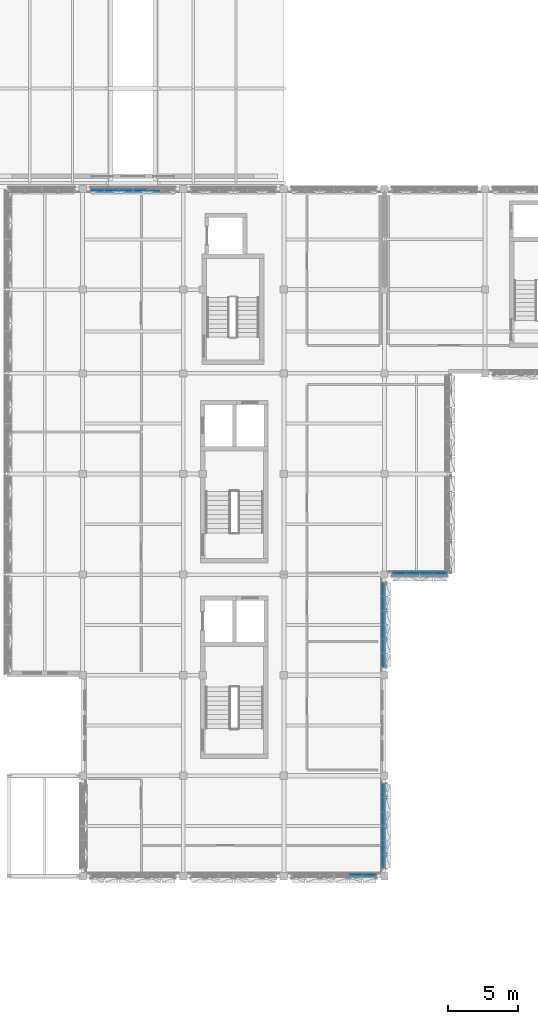
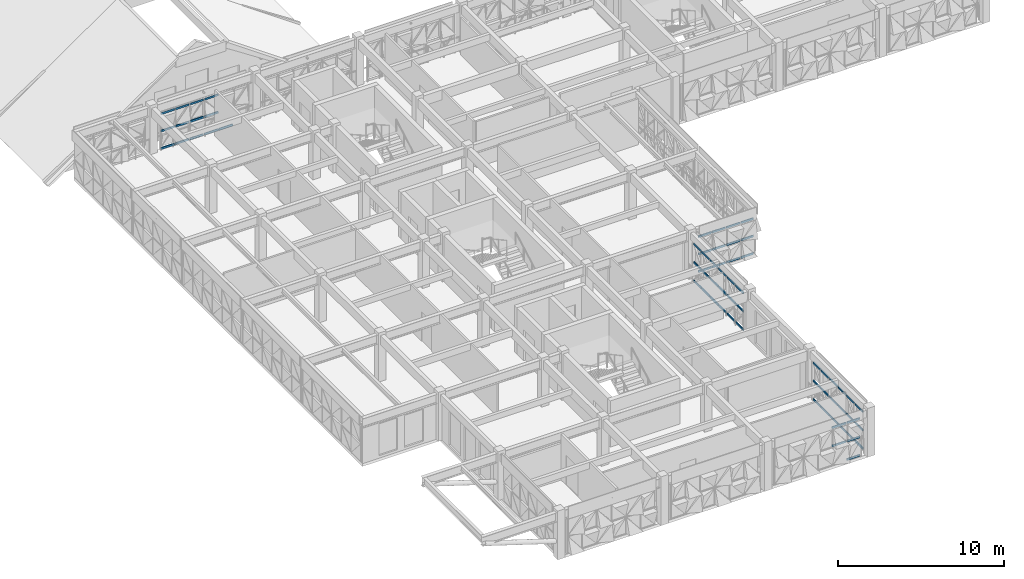
# One storey, part 15 of 48: 66 members, 5 elements without a shape of their own.
"""IFC4 building model written with IfcOpenShell, lengths in metres."""

from ifc_helpers import new_model, si_unit, direction, frame, origin, origin_2d, place, context, subcontext, project, spatial, rectangle, extrude, material, material_profile, profile_set, type_object, element, aggregate, save


model = new_model("IFC4")

# Units and contexts
model_context = context("Model", 3, precision=1e-05, world=origin(), true_north=direction((0.0, 1.0)))
body_context = subcontext(model_context, "Body", "Model", "MODEL_VIEW")
ifc_project = project(units=[si_unit("LENGTHUNIT", "METRE"), si_unit("AREAUNIT", "SQUARE_METRE"), si_unit("VOLUMEUNIT", "CUBIC_METRE"), si_unit("PLANEANGLEUNIT", "RADIAN"), si_unit("MASSUNIT", "GRAM", prefix="KILO")], contexts=[model_context])

# Site, building, storey
site_placement = place(None, origin())
site = spatial("IfcSite", under=ifc_project, at=site_placement, CompositionType="ELEMENT")
building_placement = place(site_placement, origin())
building = spatial("IfcBuilding", under=site, at=building_placement, Name="Alvorim Cloister Faculty of Sciences", CompositionType="ELEMENT")
storey_placement = place(building_placement, frame((0.0, 0.0, 19.35009765625)))
storey = spatial("IfcBuildingStorey", under=building, at=storey_placement, Name="L05", CompositionType="ELEMENT", Elevation=19.35009765625)

# Curtain wall, members
ifc_material_1 = material(Name="Aluminium and Low-E Glass Curtain Wall", Category="aluminium")
curtain_wall_type_1 = type_object("IfcCurtainWallType", Name="CW-TRI-6120x2706", PredefinedType="USERDEFINED", material=ifc_material_1)
curtain_wall_1_placement = place(storey_placement, origin())
curtain_wall_1 = element("IfcCurtainWall", 1, at=curtain_wall_1_placement, inside=storey, type_object=curtain_wall_type_1, Name="L05 Diagonal Cassette Curtain Wall CW-0220", ObjectType="UNITISED CURTAIN WALL", PredefinedType="USERDEFINED")
ifc_material_2 = material(Name="Aluminium Alloy 6063-T6", Category="aluminium")
ifc_material_profile = material_profile(ifc_material_2, rectangle(XDim=0.06494140625, YDim=0.139892578125, at=origin_2d()), Name="ALU-TRN-65x140")
ifc_profile_set = profile_set([ifc_material_profile], Name="Aluminium Alloy 6063-T6")
member_type = type_object("IfcMemberType", Name="CW-TRN-65x140", PredefinedType="USERDEFINED", material=ifc_profile_set)
member_1_placement = place(storey_placement, frame((7.804931640625, 56.31005859375, 0.06982421875), z_axis=(1.0, 0.0, 0.0), x_axis=(0.0, 1.0, 0.0)))
member_1 = element("IfcMember", 2, at=member_1_placement, type_object=member_type, Name="CW-0220 Transom 1.1", ObjectType="TRANSOM", PredefinedType="USERDEFINED", context=body_context, shape_type="SweptSolid", body=[
    extrude(rectangle(XDim=0.06494140625, YDim=0.139892578125, at=origin_2d()), origin(), (0.0, 0.0, 1.0), 0.922607421875),
])
member_2_placement = place(storey_placement, frame((7.804931640625, 56.31005859375, 1.352783203125), z_axis=(1.0, 0.0, 0.0), x_axis=(0.0, 1.0, 0.0)))
member_2 = element("IfcMember", 3, at=member_2_placement, type_object=member_type, Name="CW-0220 Transom 1.2", ObjectType="TRANSOM", PredefinedType="USERDEFINED", context=body_context, shape_type="SweptSolid", body=[
    extrude(rectangle(XDim=0.06494140625, YDim=0.139892578125, at=origin_2d()), origin(), (0.0, 0.0, 1.0), 0.922607421875),
])
member_3_placement = place(storey_placement, frame((7.804931640625, 56.31005859375, 2.635986328125), z_axis=(1.0, 0.0, 0.0), x_axis=(0.0, 1.0, 0.0)))
member_3 = element("IfcMember", 4, at=member_3_placement, type_object=member_type, Name="CW-0220 Transom 1.3", ObjectType="TRANSOM", PredefinedType="USERDEFINED", context=body_context, shape_type="SweptSolid", body=[
    extrude(rectangle(XDim=0.06494140625, YDim=0.139892578125, at=origin_2d()), origin(), (0.0, 0.0, 1.0), 0.922607421875),
])
member_4_placement = place(storey_placement, frame((8.79248046875, 56.31005859375, 0.06982421875), z_axis=(1.0, 0.0, 0.0), x_axis=(0.0, 1.0, 0.0)))
member_4 = element("IfcMember", 5, at=member_4_placement, type_object=member_type, Name="CW-0220 Transom 2.1", ObjectType="TRANSOM", PredefinedType="USERDEFINED", context=body_context, shape_type="SweptSolid", body=[
    extrude(rectangle(XDim=0.06494140625, YDim=0.139892578125, at=origin_2d()), origin(), (0.0, 0.0, 1.0), 0.955078125),
])
member_5_placement = place(storey_placement, frame((8.79248046875, 56.31005859375, 1.352783203125), z_axis=(1.0, 0.0, 0.0), x_axis=(0.0, 1.0, 0.0)))
member_5 = element("IfcMember", 6, at=member_5_placement, type_object=member_type, Name="CW-0220 Transom 2.2", ObjectType="TRANSOM", PredefinedType="USERDEFINED", context=body_context, shape_type="SweptSolid", body=[
    extrude(rectangle(XDim=0.06494140625, YDim=0.139892578125, at=origin_2d()), origin(), (0.0, 0.0, 1.0), 0.955078125),
])
member_6_placement = place(storey_placement, frame((8.79248046875, 56.31005859375, 2.635986328125), z_axis=(1.0, 0.0, 0.0), x_axis=(0.0, 1.0, 0.0)))
member_6 = element("IfcMember", 7, at=member_6_placement, type_object=member_type, Name="CW-0220 Transom 2.3", ObjectType="TRANSOM", PredefinedType="USERDEFINED", context=body_context, shape_type="SweptSolid", body=[
    extrude(rectangle(XDim=0.06494140625, YDim=0.139892578125, at=origin_2d()), origin(), (0.0, 0.0, 1.0), 0.955078125),
])
member_7_placement = place(storey_placement, frame((9.8125, 56.31005859375, 0.06982421875), z_axis=(1.0, 0.0, 0.0), x_axis=(0.0, 1.0, 0.0)))
member_7 = element("IfcMember", 8, at=member_7_placement, type_object=member_type, Name="CW-0220 Transom 3.1", ObjectType="TRANSOM", PredefinedType="USERDEFINED", context=body_context, shape_type="SweptSolid", body=[
    extrude(rectangle(XDim=0.06494140625, YDim=0.139892578125, at=origin_2d()), origin(), (0.0, 0.0, 1.0), 0.955078125),
])
member_8_placement = place(storey_placement, frame((9.8125, 56.31005859375, 1.352783203125), z_axis=(1.0, 0.0, 0.0), x_axis=(0.0, 1.0, 0.0)))
member_8 = element("IfcMember", 9, at=member_8_placement, type_object=member_type, Name="CW-0220 Transom 3.2", ObjectType="TRANSOM", PredefinedType="USERDEFINED", context=body_context, shape_type="SweptSolid", body=[
    extrude(rectangle(XDim=0.06494140625, YDim=0.139892578125, at=origin_2d()), origin(), (0.0, 0.0, 1.0), 0.955078125),
])
member_9_placement = place(storey_placement, frame((9.8125, 56.31005859375, 2.635986328125), z_axis=(1.0, 0.0, 0.0), x_axis=(0.0, 1.0, 0.0)))
member_9 = element("IfcMember", 10, at=member_9_placement, type_object=member_type, Name="CW-0220 Transom 3.3", ObjectType="TRANSOM", PredefinedType="USERDEFINED", context=body_context, shape_type="SweptSolid", body=[
    extrude(rectangle(XDim=0.06494140625, YDim=0.139892578125, at=origin_2d()), origin(), (0.0, 0.0, 1.0), 0.955078125),
])
member_10_placement = place(storey_placement, frame((10.83251953125, 56.31005859375, 0.06982421875), z_axis=(1.0, 0.0, 0.0), x_axis=(0.0, 1.0, 0.0)))
member_10 = element("IfcMember", 11, at=member_10_placement, type_object=member_type, Name="CW-0220 Transom 4.1", ObjectType="TRANSOM", PredefinedType="USERDEFINED", context=body_context, shape_type="SweptSolid", body=[
    extrude(rectangle(XDim=0.06494140625, YDim=0.139892578125, at=origin_2d()), origin(), (0.0, 0.0, 1.0), 0.955078125),
])
member_11_placement = place(storey_placement, frame((10.83251953125, 56.31005859375, 1.352783203125), z_axis=(1.0, 0.0, 0.0), x_axis=(0.0, 1.0, 0.0)))
member_11 = element("IfcMember", 12, at=member_11_placement, type_object=member_type, Name="CW-0220 Transom 4.2", ObjectType="TRANSOM", PredefinedType="USERDEFINED", context=body_context, shape_type="SweptSolid", body=[
    extrude(rectangle(XDim=0.06494140625, YDim=0.139892578125, at=origin_2d()), origin(), (0.0, 0.0, 1.0), 0.955078125),
])
member_12_placement = place(storey_placement, frame((10.83251953125, 56.31005859375, 2.635986328125), z_axis=(1.0, 0.0, 0.0), x_axis=(0.0, 1.0, 0.0)))
member_12 = element("IfcMember", 13, at=member_12_placement, type_object=member_type, Name="CW-0220 Transom 4.3", ObjectType="TRANSOM", PredefinedType="USERDEFINED", context=body_context, shape_type="SweptSolid", body=[
    extrude(rectangle(XDim=0.06494140625, YDim=0.139892578125, at=origin_2d()), origin(), (0.0, 0.0, 1.0), 0.955078125),
])
member_13_placement = place(storey_placement, frame((11.8525390625, 56.31005859375, 0.06982421875), z_axis=(1.0, 0.0, 0.0), x_axis=(0.0, 1.0, 0.0)))
member_13 = element("IfcMember", 14, at=member_13_placement, type_object=member_type, Name="CW-0220 Transom 5.1", ObjectType="TRANSOM", PredefinedType="USERDEFINED", context=body_context, shape_type="SweptSolid", body=[
    extrude(rectangle(XDim=0.06494140625, YDim=0.139892578125, at=origin_2d()), origin(), (0.0, 0.0, 1.0), 0.955078125),
])
aggregate(curtain_wall_1, [member_1, member_2, member_3, member_4, member_5, member_6, member_7, member_8, member_9, member_10, member_11, member_12, member_13])

curtain_wall_type_2 = type_object("IfcCurtainWallType", Name="CW-TRI-3980x2706", PredefinedType="USERDEFINED", material=ifc_material_1)
curtain_wall_2_placement = place(storey_placement, origin())
curtain_wall_2 = element("IfcCurtainWall", 15, at=curtain_wall_2_placement, inside=storey, type_object=curtain_wall_type_2, Name="L05 Diagonal Cassette Curtain Wall CW-0234", ObjectType="UNITISED CURTAIN WALL", PredefinedType="USERDEFINED")
member_14_placement = place(storey_placement, frame((29.405029296875, 28.889892578125, 0.06982421875), z_axis=(1.0, 0.0, 0.0), x_axis=(0.0, 1.0, 0.0)))
member_14 = element("IfcMember", 16, at=member_14_placement, type_object=member_type, Name="CW-0234 Transom 1.1", ObjectType="TRANSOM", PredefinedType="USERDEFINED", context=body_context, shape_type="SweptSolid", body=[
    extrude(rectangle(XDim=0.06494140625, YDim=0.139892578125, at=origin_2d()), origin(), (0.0, 0.0, 1.0), 0.8974609375),
])
member_15_placement = place(storey_placement, frame((29.405029296875, 28.889892578125, 1.352783203125), z_axis=(1.0, 0.0, 0.0), x_axis=(0.0, 1.0, 0.0)))
member_15 = element("IfcMember", 17, at=member_15_placement, type_object=member_type, Name="CW-0234 Transom 1.2", ObjectType="TRANSOM", PredefinedType="USERDEFINED", context=body_context, shape_type="SweptSolid", body=[
    extrude(rectangle(XDim=0.06494140625, YDim=0.139892578125, at=origin_2d()), origin(), (0.0, 0.0, 1.0), 0.8974609375),
])
member_16_placement = place(storey_placement, frame((29.405029296875, 28.889892578125, 2.635986328125), z_axis=(1.0, 0.0, 0.0), x_axis=(0.0, 1.0, 0.0)))
member_16 = element("IfcMember", 18, at=member_16_placement, type_object=member_type, Name="CW-0234 Transom 1.3", ObjectType="TRANSOM", PredefinedType="USERDEFINED", context=body_context, shape_type="SweptSolid", body=[
    extrude(rectangle(XDim=0.06494140625, YDim=0.139892578125, at=origin_2d()), origin(), (0.0, 0.0, 1.0), 0.8974609375),
])
member_17_placement = place(storey_placement, frame((30.367431640625, 28.889892578125, 0.06982421875), z_axis=(1.0, 0.0, 0.0), x_axis=(0.0, 1.0, 0.0)))
member_17 = element("IfcMember", 19, at=member_17_placement, type_object=member_type, Name="CW-0234 Transom 2.1", ObjectType="TRANSOM", PredefinedType="USERDEFINED", context=body_context, shape_type="SweptSolid", body=[
    extrude(rectangle(XDim=0.06494140625, YDim=0.139892578125, at=origin_2d()), origin(), (0.0, 0.0, 1.0), 0.93017578125),
])
member_18_placement = place(storey_placement, frame((30.367431640625, 28.889892578125, 1.352783203125), z_axis=(1.0, 0.0, 0.0), x_axis=(0.0, 1.0, 0.0)))
member_18 = element("IfcMember", 20, at=member_18_placement, type_object=member_type, Name="CW-0234 Transom 2.2", ObjectType="TRANSOM", PredefinedType="USERDEFINED", context=body_context, shape_type="SweptSolid", body=[
    extrude(rectangle(XDim=0.06494140625, YDim=0.139892578125, at=origin_2d()), origin(), (0.0, 0.0, 1.0), 0.93017578125),
])
member_19_placement = place(storey_placement, frame((30.367431640625, 28.889892578125, 2.635986328125), z_axis=(1.0, 0.0, 0.0), x_axis=(0.0, 1.0, 0.0)))
member_19 = element("IfcMember", 21, at=member_19_placement, type_object=member_type, Name="CW-0234 Transom 2.3", ObjectType="TRANSOM", PredefinedType="USERDEFINED", context=body_context, shape_type="SweptSolid", body=[
    extrude(rectangle(XDim=0.06494140625, YDim=0.139892578125, at=origin_2d()), origin(), (0.0, 0.0, 1.0), 0.93017578125),
])
member_20_placement = place(storey_placement, frame((31.362548828125, 28.889892578125, 0.06982421875), z_axis=(1.0, 0.0, 0.0), x_axis=(0.0, 1.0, 0.0)))
member_20 = element("IfcMember", 22, at=member_20_placement, type_object=member_type, Name="CW-0234 Transom 3.1", ObjectType="TRANSOM", PredefinedType="USERDEFINED", context=body_context, shape_type="SweptSolid", body=[
    extrude(rectangle(XDim=0.06494140625, YDim=0.139892578125, at=origin_2d()), origin(), (0.0, 0.0, 1.0), 0.929931640625),
])
member_21_placement = place(storey_placement, frame((31.362548828125, 28.889892578125, 1.352783203125), z_axis=(1.0, 0.0, 0.0), x_axis=(0.0, 1.0, 0.0)))
member_21 = element("IfcMember", 23, at=member_21_placement, type_object=member_type, Name="CW-0234 Transom 3.2", ObjectType="TRANSOM", PredefinedType="USERDEFINED", context=body_context, shape_type="SweptSolid", body=[
    extrude(rectangle(XDim=0.06494140625, YDim=0.139892578125, at=origin_2d()), origin(), (0.0, 0.0, 1.0), 0.929931640625),
])
member_22_placement = place(storey_placement, frame((31.362548828125, 28.889892578125, 2.635986328125), z_axis=(1.0, 0.0, 0.0), x_axis=(0.0, 1.0, 0.0)))
member_22 = element("IfcMember", 24, at=member_22_placement, type_object=member_type, Name="CW-0234 Transom 3.3", ObjectType="TRANSOM", PredefinedType="USERDEFINED", context=body_context, shape_type="SweptSolid", body=[
    extrude(rectangle(XDim=0.06494140625, YDim=0.139892578125, at=origin_2d()), origin(), (0.0, 0.0, 1.0), 0.929931640625),
])
member_23_placement = place(storey_placement, frame((32.357421875, 28.889892578125, 0.06982421875), z_axis=(1.0, 0.0, 0.0), x_axis=(0.0, 1.0, 0.0)))
member_23 = element("IfcMember", 25, at=member_23_placement, type_object=member_type, Name="CW-0234 Transom 4.1", ObjectType="TRANSOM", PredefinedType="USERDEFINED", context=body_context, shape_type="SweptSolid", body=[
    extrude(rectangle(XDim=0.06494140625, YDim=0.139892578125, at=origin_2d()), origin(), (0.0, 0.0, 1.0), 0.8974609375),
])
member_24_placement = place(storey_placement, frame((32.357421875, 28.889892578125, 1.352783203125), z_axis=(1.0, 0.0, 0.0), x_axis=(0.0, 1.0, 0.0)))
member_24 = element("IfcMember", 26, at=member_24_placement, type_object=member_type, Name="CW-0234 Transom 4.2", ObjectType="TRANSOM", PredefinedType="USERDEFINED", context=body_context, shape_type="SweptSolid", body=[
    extrude(rectangle(XDim=0.06494140625, YDim=0.139892578125, at=origin_2d()), origin(), (0.0, 0.0, 1.0), 0.8974609375),
])
member_25_placement = place(storey_placement, frame((32.357421875, 28.889892578125, 2.635986328125), z_axis=(1.0, 0.0, 0.0), x_axis=(0.0, 1.0, 0.0)))
member_25 = element("IfcMember", 27, at=member_25_placement, type_object=member_type, Name="CW-0234 Transom 4.3", ObjectType="TRANSOM", PredefinedType="USERDEFINED", context=body_context, shape_type="SweptSolid", body=[
    extrude(rectangle(XDim=0.06494140625, YDim=0.139892578125, at=origin_2d()), origin(), (0.0, 0.0, 1.0), 0.8974609375),
])
aggregate(curtain_wall_2, [member_14, member_15, member_16, member_17, member_18, member_19, member_20, member_21, member_22, member_23, member_24, member_25])

curtain_wall_type_3 = type_object("IfcCurtainWallType", Name="CW-TRI-6120x2850", PredefinedType="USERDEFINED", material=ifc_material_1)
curtain_wall_3_placement = place(storey_placement, origin())
curtain_wall_3 = element("IfcCurtainWall", 28, at=curtain_wall_3_placement, inside=storey, type_object=curtain_wall_type_3, Name="L05 Diagonal Cassette Curtain Wall CW-0235", ObjectType="UNITISED CURTAIN WALL", PredefinedType="USERDEFINED")
member_26_placement = place(storey_placement, frame((28.7099609375, 22.205078125, 0.06982421875), z_axis=(0.0, 1.0, 0.0), x_axis=(-1.0, 0.0, 0.0)))
member_26 = element("IfcMember", 29, at=member_26_placement, type_object=member_type, Name="CW-0235 Transom 1.1", ObjectType="TRANSOM", PredefinedType="USERDEFINED", context=body_context, shape_type="SweptSolid", body=[
    extrude(rectangle(XDim=0.06494140625, YDim=0.139892578125, at=origin_2d()), origin(), (0.0, 0.0, 1.0), 0.92236328125),
])
member_27_placement = place(storey_placement, frame((28.7099609375, 22.205078125, 1.4248046875), z_axis=(0.0, 1.0, 0.0), x_axis=(-1.0, 0.0, 0.0)))
member_27 = element("IfcMember", 30, at=member_27_placement, type_object=member_type, Name="CW-0235 Transom 1.2", ObjectType="TRANSOM", PredefinedType="USERDEFINED", context=body_context, shape_type="SweptSolid", body=[
    extrude(rectangle(XDim=0.06494140625, YDim=0.139892578125, at=origin_2d()), origin(), (0.0, 0.0, 1.0), 0.92236328125),
])
member_28_placement = place(storey_placement, frame((28.7099609375, 22.205078125, 2.77978515625), z_axis=(0.0, 1.0, 0.0), x_axis=(-1.0, 0.0, 0.0)))
member_28 = element("IfcMember", 31, at=member_28_placement, type_object=member_type, Name="CW-0235 Transom 1.3", ObjectType="TRANSOM", PredefinedType="USERDEFINED", context=body_context, shape_type="SweptSolid", body=[
    extrude(rectangle(XDim=0.06494140625, YDim=0.139892578125, at=origin_2d()), origin(), (0.0, 0.0, 1.0), 0.92236328125),
])
member_29_placement = place(storey_placement, frame((28.7099609375, 23.1923828125, 0.06982421875), z_axis=(0.0, 1.0, 0.0), x_axis=(-1.0, 0.0, 0.0)))
member_29 = element("IfcMember", 32, at=member_29_placement, type_object=member_type, Name="CW-0235 Transom 2.1", ObjectType="TRANSOM", PredefinedType="USERDEFINED", context=body_context, shape_type="SweptSolid", body=[
    extrude(rectangle(XDim=0.06494140625, YDim=0.139892578125, at=origin_2d()), origin(), (0.0, 0.0, 1.0), 0.955078125),
])
member_30_placement = place(storey_placement, frame((28.7099609375, 23.1923828125, 1.4248046875), z_axis=(0.0, 1.0, 0.0), x_axis=(-1.0, 0.0, 0.0)))
member_30 = element("IfcMember", 33, at=member_30_placement, type_object=member_type, Name="CW-0235 Transom 2.2", ObjectType="TRANSOM", PredefinedType="USERDEFINED", context=body_context, shape_type="SweptSolid", body=[
    extrude(rectangle(XDim=0.06494140625, YDim=0.139892578125, at=origin_2d()), origin(), (0.0, 0.0, 1.0), 0.955078125),
])
member_31_placement = place(storey_placement, frame((28.7099609375, 23.1923828125, 2.77978515625), z_axis=(0.0, 1.0, 0.0), x_axis=(-1.0, 0.0, 0.0)))
member_31 = element("IfcMember", 34, at=member_31_placement, type_object=member_type, Name="CW-0235 Transom 2.3", ObjectType="TRANSOM", PredefinedType="USERDEFINED", context=body_context, shape_type="SweptSolid", body=[
    extrude(rectangle(XDim=0.06494140625, YDim=0.139892578125, at=origin_2d()), origin(), (0.0, 0.0, 1.0), 0.955078125),
])
member_32_placement = place(storey_placement, frame((28.7099609375, 24.21240234375, 0.06982421875), z_axis=(0.0, 1.0, 0.0), x_axis=(-1.0, 0.0, 0.0)))
member_32 = element("IfcMember", 35, at=member_32_placement, type_object=member_type, Name="CW-0235 Transom 3.1", ObjectType="TRANSOM", PredefinedType="USERDEFINED", context=body_context, shape_type="SweptSolid", body=[
    extrude(rectangle(XDim=0.06494140625, YDim=0.139892578125, at=origin_2d()), origin(), (0.0, 0.0, 1.0), 0.955078125),
])
member_33_placement = place(storey_placement, frame((28.7099609375, 24.21240234375, 1.4248046875), z_axis=(0.0, 1.0, 0.0), x_axis=(-1.0, 0.0, 0.0)))
member_33 = element("IfcMember", 36, at=member_33_placement, type_object=member_type, Name="CW-0235 Transom 3.2", ObjectType="TRANSOM", PredefinedType="USERDEFINED", context=body_context, shape_type="SweptSolid", body=[
    extrude(rectangle(XDim=0.06494140625, YDim=0.139892578125, at=origin_2d()), origin(), (0.0, 0.0, 1.0), 0.955078125),
])
member_34_placement = place(storey_placement, frame((28.7099609375, 24.21240234375, 2.77978515625), z_axis=(0.0, 1.0, 0.0), x_axis=(-1.0, 0.0, 0.0)))
member_34 = element("IfcMember", 37, at=member_34_placement, type_object=member_type, Name="CW-0235 Transom 3.3", ObjectType="TRANSOM", PredefinedType="USERDEFINED", context=body_context, shape_type="SweptSolid", body=[
    extrude(rectangle(XDim=0.06494140625, YDim=0.139892578125, at=origin_2d()), origin(), (0.0, 0.0, 1.0), 0.955078125),
])
member_35_placement = place(storey_placement, frame((28.7099609375, 25.232421875, 0.06982421875), z_axis=(0.0, 1.0, 0.0), x_axis=(-1.0, 0.0, 0.0)))
member_35 = element("IfcMember", 38, at=member_35_placement, type_object=member_type, Name="CW-0235 Transom 4.1", ObjectType="TRANSOM", PredefinedType="USERDEFINED", context=body_context, shape_type="SweptSolid", body=[
    extrude(rectangle(XDim=0.06494140625, YDim=0.139892578125, at=origin_2d()), origin(), (0.0, 0.0, 1.0), 0.955078125),
])
member_36_placement = place(storey_placement, frame((28.7099609375, 25.232421875, 1.4248046875), z_axis=(0.0, 1.0, 0.0), x_axis=(-1.0, 0.0, 0.0)))
member_36 = element("IfcMember", 39, at=member_36_placement, type_object=member_type, Name="CW-0235 Transom 4.2", ObjectType="TRANSOM", PredefinedType="USERDEFINED", context=body_context, shape_type="SweptSolid", body=[
    extrude(rectangle(XDim=0.06494140625, YDim=0.139892578125, at=origin_2d()), origin(), (0.0, 0.0, 1.0), 0.955078125),
])
member_37_placement = place(storey_placement, frame((28.7099609375, 25.232421875, 2.77978515625), z_axis=(0.0, 1.0, 0.0), x_axis=(-1.0, 0.0, 0.0)))
member_37 = element("IfcMember", 40, at=member_37_placement, type_object=member_type, Name="CW-0235 Transom 4.3", ObjectType="TRANSOM", PredefinedType="USERDEFINED", context=body_context, shape_type="SweptSolid", body=[
    extrude(rectangle(XDim=0.06494140625, YDim=0.139892578125, at=origin_2d()), origin(), (0.0, 0.0, 1.0), 0.955078125),
])
member_38_placement = place(storey_placement, frame((28.7099609375, 26.25244140625, 0.06982421875), z_axis=(0.0, 1.0, 0.0), x_axis=(-1.0, 0.0, 0.0)))
member_38 = element("IfcMember", 41, at=member_38_placement, type_object=member_type, Name="CW-0235 Transom 5.1", ObjectType="TRANSOM", PredefinedType="USERDEFINED", context=body_context, shape_type="SweptSolid", body=[
    extrude(rectangle(XDim=0.06494140625, YDim=0.139892578125, at=origin_2d()), origin(), (0.0, 0.0, 1.0), 0.955078125),
])
member_39_placement = place(storey_placement, frame((28.7099609375, 26.25244140625, 1.4248046875), z_axis=(0.0, 1.0, 0.0), x_axis=(-1.0, 0.0, 0.0)))
member_39 = element("IfcMember", 42, at=member_39_placement, type_object=member_type, Name="CW-0235 Transom 5.2", ObjectType="TRANSOM", PredefinedType="USERDEFINED", context=body_context, shape_type="SweptSolid", body=[
    extrude(rectangle(XDim=0.06494140625, YDim=0.139892578125, at=origin_2d()), origin(), (0.0, 0.0, 1.0), 0.955078125),
])
member_40_placement = place(storey_placement, frame((28.7099609375, 26.25244140625, 2.77978515625), z_axis=(0.0, 1.0, 0.0), x_axis=(-1.0, 0.0, 0.0)))
member_40 = element("IfcMember", 43, at=member_40_placement, type_object=member_type, Name="CW-0235 Transom 5.3", ObjectType="TRANSOM", PredefinedType="USERDEFINED", context=body_context, shape_type="SweptSolid", body=[
    extrude(rectangle(XDim=0.06494140625, YDim=0.139892578125, at=origin_2d()), origin(), (0.0, 0.0, 1.0), 0.955078125),
])
member_41_placement = place(storey_placement, frame((28.7099609375, 27.2724609375, 0.06982421875), z_axis=(0.0, 1.0, 0.0), x_axis=(-1.0, 0.0, 0.0)))
member_41 = element("IfcMember", 44, at=member_41_placement, type_object=member_type, Name="CW-0235 Transom 6.1", ObjectType="TRANSOM", PredefinedType="USERDEFINED", context=body_context, shape_type="SweptSolid", body=[
    extrude(rectangle(XDim=0.06494140625, YDim=0.139892578125, at=origin_2d()), origin(), (0.0, 0.0, 1.0), 0.922607421875),
])
member_42_placement = place(storey_placement, frame((28.7099609375, 27.2724609375, 1.4248046875), z_axis=(0.0, 1.0, 0.0), x_axis=(-1.0, 0.0, 0.0)))
member_42 = element("IfcMember", 45, at=member_42_placement, type_object=member_type, Name="CW-0235 Transom 6.2", ObjectType="TRANSOM", PredefinedType="USERDEFINED", context=body_context, shape_type="SweptSolid", body=[
    extrude(rectangle(XDim=0.06494140625, YDim=0.139892578125, at=origin_2d()), origin(), (0.0, 0.0, 1.0), 0.922607421875),
])
member_43_placement = place(storey_placement, frame((28.7099609375, 27.2724609375, 2.77978515625), z_axis=(0.0, 1.0, 0.0), x_axis=(-1.0, 0.0, 0.0)))
member_43 = element("IfcMember", 46, at=member_43_placement, type_object=member_type, Name="CW-0235 Transom 6.3", ObjectType="TRANSOM", PredefinedType="USERDEFINED", context=body_context, shape_type="SweptSolid", body=[
    extrude(rectangle(XDim=0.06494140625, YDim=0.139892578125, at=origin_2d()), origin(), (0.0, 0.0, 1.0), 0.922607421875),
])
aggregate(curtain_wall_3, [member_26, member_27, member_28, member_29, member_30, member_31, member_32, member_33, member_34, member_35, member_36, member_37, member_38, member_39, member_40, member_41, member_42, member_43])

curtain_wall_4_placement = place(storey_placement, origin())
curtain_wall_4 = element("IfcCurtainWall", 47, at=curtain_wall_4_placement, inside=storey, type_object=curtain_wall_type_3, Name="L05 Diagonal Cassette Curtain Wall CW-0236", ObjectType="UNITISED CURTAIN WALL", PredefinedType="USERDEFINED")
member_44_placement = place(storey_placement, frame((28.7099609375, 7.804931640625, 0.06982421875), z_axis=(0.0, 1.0, 0.0), x_axis=(-1.0, 0.0, 0.0)))
member_44 = element("IfcMember", 48, at=member_44_placement, type_object=member_type, Name="CW-0236 Transom 1.1", ObjectType="TRANSOM", PredefinedType="USERDEFINED", context=body_context, shape_type="SweptSolid", body=[
    extrude(rectangle(XDim=0.06494140625, YDim=0.139892578125, at=origin_2d()), origin(), (0.0, 0.0, 1.0), 0.922607421875),
])
member_45_placement = place(storey_placement, frame((28.7099609375, 7.804931640625, 1.4248046875), z_axis=(0.0, 1.0, 0.0), x_axis=(-1.0, 0.0, 0.0)))
member_45 = element("IfcMember", 49, at=member_45_placement, type_object=member_type, Name="CW-0236 Transom 1.2", ObjectType="TRANSOM", PredefinedType="USERDEFINED", context=body_context, shape_type="SweptSolid", body=[
    extrude(rectangle(XDim=0.06494140625, YDim=0.139892578125, at=origin_2d()), origin(), (0.0, 0.0, 1.0), 0.922607421875),
])
member_46_placement = place(storey_placement, frame((28.7099609375, 7.804931640625, 2.77978515625), z_axis=(0.0, 1.0, 0.0), x_axis=(-1.0, 0.0, 0.0)))
member_46 = element("IfcMember", 50, at=member_46_placement, type_object=member_type, Name="CW-0236 Transom 1.3", ObjectType="TRANSOM", PredefinedType="USERDEFINED", context=body_context, shape_type="SweptSolid", body=[
    extrude(rectangle(XDim=0.06494140625, YDim=0.139892578125, at=origin_2d()), origin(), (0.0, 0.0, 1.0), 0.922607421875),
])
member_47_placement = place(storey_placement, frame((28.7099609375, 8.79248046875, 0.06982421875), z_axis=(0.0, 1.0, 0.0), x_axis=(-1.0, 0.0, 0.0)))
member_47 = element("IfcMember", 51, at=member_47_placement, type_object=member_type, Name="CW-0236 Transom 2.1", ObjectType="TRANSOM", PredefinedType="USERDEFINED", context=body_context, shape_type="SweptSolid", body=[
    extrude(rectangle(XDim=0.06494140625, YDim=0.139892578125, at=origin_2d()), origin(), (0.0, 0.0, 1.0), 0.955078125),
])
member_48_placement = place(storey_placement, frame((28.7099609375, 8.79248046875, 1.4248046875), z_axis=(0.0, 1.0, 0.0), x_axis=(-1.0, 0.0, 0.0)))
member_48 = element("IfcMember", 52, at=member_48_placement, type_object=member_type, Name="CW-0236 Transom 2.2", ObjectType="TRANSOM", PredefinedType="USERDEFINED", context=body_context, shape_type="SweptSolid", body=[
    extrude(rectangle(XDim=0.06494140625, YDim=0.139892578125, at=origin_2d()), origin(), (0.0, 0.0, 1.0), 0.955078125),
])
member_49_placement = place(storey_placement, frame((28.7099609375, 8.79248046875, 2.77978515625), z_axis=(0.0, 1.0, 0.0), x_axis=(-1.0, 0.0, 0.0)))
member_49 = element("IfcMember", 53, at=member_49_placement, type_object=member_type, Name="CW-0236 Transom 2.3", ObjectType="TRANSOM", PredefinedType="USERDEFINED", context=body_context, shape_type="SweptSolid", body=[
    extrude(rectangle(XDim=0.06494140625, YDim=0.139892578125, at=origin_2d()), origin(), (0.0, 0.0, 1.0), 0.955078125),
])
member_50_placement = place(storey_placement, frame((28.7099609375, 9.8125, 0.06982421875), z_axis=(0.0, 1.0, 0.0), x_axis=(-1.0, 0.0, 0.0)))
member_50 = element("IfcMember", 54, at=member_50_placement, type_object=member_type, Name="CW-0236 Transom 3.1", ObjectType="TRANSOM", PredefinedType="USERDEFINED", context=body_context, shape_type="SweptSolid", body=[
    extrude(rectangle(XDim=0.06494140625, YDim=0.139892578125, at=origin_2d()), origin(), (0.0, 0.0, 1.0), 0.955078125),
])
member_51_placement = place(storey_placement, frame((28.7099609375, 9.8125, 1.4248046875), z_axis=(0.0, 1.0, 0.0), x_axis=(-1.0, 0.0, 0.0)))
member_51 = element("IfcMember", 55, at=member_51_placement, type_object=member_type, Name="CW-0236 Transom 3.2", ObjectType="TRANSOM", PredefinedType="USERDEFINED", context=body_context, shape_type="SweptSolid", body=[
    extrude(rectangle(XDim=0.06494140625, YDim=0.139892578125, at=origin_2d()), origin(), (0.0, 0.0, 1.0), 0.955078125),
])
member_52_placement = place(storey_placement, frame((28.7099609375, 9.8125, 2.77978515625), z_axis=(0.0, 1.0, 0.0), x_axis=(-1.0, 0.0, 0.0)))
member_52 = element("IfcMember", 56, at=member_52_placement, type_object=member_type, Name="CW-0236 Transom 3.3", ObjectType="TRANSOM", PredefinedType="USERDEFINED", context=body_context, shape_type="SweptSolid", body=[
    extrude(rectangle(XDim=0.06494140625, YDim=0.139892578125, at=origin_2d()), origin(), (0.0, 0.0, 1.0), 0.955078125),
])
member_53_placement = place(storey_placement, frame((28.7099609375, 10.83251953125, 0.06982421875), z_axis=(0.0, 1.0, 0.0), x_axis=(-1.0, 0.0, 0.0)))
member_53 = element("IfcMember", 57, at=member_53_placement, type_object=member_type, Name="CW-0236 Transom 4.1", ObjectType="TRANSOM", PredefinedType="USERDEFINED", context=body_context, shape_type="SweptSolid", body=[
    extrude(rectangle(XDim=0.06494140625, YDim=0.139892578125, at=origin_2d()), origin(), (0.0, 0.0, 1.0), 0.955078125),
])
member_54_placement = place(storey_placement, frame((28.7099609375, 10.83251953125, 1.4248046875), z_axis=(0.0, 1.0, 0.0), x_axis=(-1.0, 0.0, 0.0)))
member_54 = element("IfcMember", 58, at=member_54_placement, type_object=member_type, Name="CW-0236 Transom 4.2", ObjectType="TRANSOM", PredefinedType="USERDEFINED", context=body_context, shape_type="SweptSolid", body=[
    extrude(rectangle(XDim=0.06494140625, YDim=0.139892578125, at=origin_2d()), origin(), (0.0, 0.0, 1.0), 0.955078125),
])
member_55_placement = place(storey_placement, frame((28.7099609375, 10.83251953125, 2.77978515625), z_axis=(0.0, 1.0, 0.0), x_axis=(-1.0, 0.0, 0.0)))
member_55 = element("IfcMember", 59, at=member_55_placement, type_object=member_type, Name="CW-0236 Transom 4.3", ObjectType="TRANSOM", PredefinedType="USERDEFINED", context=body_context, shape_type="SweptSolid", body=[
    extrude(rectangle(XDim=0.06494140625, YDim=0.139892578125, at=origin_2d()), origin(), (0.0, 0.0, 1.0), 0.955078125),
])
member_56_placement = place(storey_placement, frame((28.7099609375, 11.8525390625, 0.06982421875), z_axis=(0.0, 1.0, 0.0), x_axis=(-1.0, 0.0, 0.0)))
member_56 = element("IfcMember", 60, at=member_56_placement, type_object=member_type, Name="CW-0236 Transom 5.1", ObjectType="TRANSOM", PredefinedType="USERDEFINED", context=body_context, shape_type="SweptSolid", body=[
    extrude(rectangle(XDim=0.06494140625, YDim=0.139892578125, at=origin_2d()), origin(), (0.0, 0.0, 1.0), 0.955078125),
])
member_57_placement = place(storey_placement, frame((28.7099609375, 11.8525390625, 1.4248046875), z_axis=(0.0, 1.0, 0.0), x_axis=(-1.0, 0.0, 0.0)))
member_57 = element("IfcMember", 61, at=member_57_placement, type_object=member_type, Name="CW-0236 Transom 5.2", ObjectType="TRANSOM", PredefinedType="USERDEFINED", context=body_context, shape_type="SweptSolid", body=[
    extrude(rectangle(XDim=0.06494140625, YDim=0.139892578125, at=origin_2d()), origin(), (0.0, 0.0, 1.0), 0.955078125),
])
member_58_placement = place(storey_placement, frame((28.7099609375, 11.8525390625, 2.77978515625), z_axis=(0.0, 1.0, 0.0), x_axis=(-1.0, 0.0, 0.0)))
member_58 = element("IfcMember", 62, at=member_58_placement, type_object=member_type, Name="CW-0236 Transom 5.3", ObjectType="TRANSOM", PredefinedType="USERDEFINED", context=body_context, shape_type="SweptSolid", body=[
    extrude(rectangle(XDim=0.06494140625, YDim=0.139892578125, at=origin_2d()), origin(), (0.0, 0.0, 1.0), 0.955078125),
])
member_59_placement = place(storey_placement, frame((28.7099609375, 12.87255859375, 0.06982421875), z_axis=(0.0, 1.0, 0.0), x_axis=(-1.0, 0.0, 0.0)))
member_59 = element("IfcMember", 63, at=member_59_placement, type_object=member_type, Name="CW-0236 Transom 6.1", ObjectType="TRANSOM", PredefinedType="USERDEFINED", context=body_context, shape_type="SweptSolid", body=[
    extrude(rectangle(XDim=0.06494140625, YDim=0.139892578125, at=origin_2d()), origin(), (0.0, 0.0, 1.0), 0.92236328125),
])
member_60_placement = place(storey_placement, frame((28.7099609375, 12.87255859375, 1.4248046875), z_axis=(0.0, 1.0, 0.0), x_axis=(-1.0, 0.0, 0.0)))
member_60 = element("IfcMember", 64, at=member_60_placement, type_object=member_type, Name="CW-0236 Transom 6.2", ObjectType="TRANSOM", PredefinedType="USERDEFINED", context=body_context, shape_type="SweptSolid", body=[
    extrude(rectangle(XDim=0.06494140625, YDim=0.139892578125, at=origin_2d()), origin(), (0.0, 0.0, 1.0), 0.92236328125),
])
member_61_placement = place(storey_placement, frame((28.7099609375, 12.87255859375, 2.77978515625), z_axis=(0.0, 1.0, 0.0), x_axis=(-1.0, 0.0, 0.0)))
member_61 = element("IfcMember", 65, at=member_61_placement, type_object=member_type, Name="CW-0236 Transom 6.3", ObjectType="TRANSOM", PredefinedType="USERDEFINED", context=body_context, shape_type="SweptSolid", body=[
    extrude(rectangle(XDim=0.06494140625, YDim=0.139892578125, at=origin_2d()), origin(), (0.0, 0.0, 1.0), 0.92236328125),
])
aggregate(curtain_wall_4, [member_44, member_45, member_46, member_47, member_48, member_49, member_50, member_51, member_52, member_53, member_54, member_55, member_56, member_57, member_58, member_59, member_60, member_61])

curtain_wall_5_placement = place(storey_placement, origin())
curtain_wall_5 = element("IfcCurtainWall", 66, at=curtain_wall_5_placement, inside=storey, type_object=curtain_wall_type_3, Name="L05 Diagonal Cassette Curtain Wall CW-0237", ObjectType="UNITISED CURTAIN WALL", PredefinedType="USERDEFINED")
member_62_placement = place(storey_placement, frame((26.25244140625, 7.2900390625, 1.4248046875), z_axis=(1.0, 0.0, 0.0), x_axis=(0.0, 1.0, 0.0)))
member_62 = element("IfcMember", 67, at=member_62_placement, type_object=member_type, Name="CW-0237 Transom 5.2", ObjectType="TRANSOM", PredefinedType="USERDEFINED", context=body_context, shape_type="SweptSolid", body=[
    extrude(rectangle(XDim=0.06494140625, YDim=0.139892578125, at=origin_2d()), origin(), (0.0, 0.0, 1.0), 0.955078125),
])
member_63_placement = place(storey_placement, frame((26.25244140625, 7.2900390625, 2.77978515625), z_axis=(1.0, 0.0, 0.0), x_axis=(0.0, 1.0, 0.0)))
member_63 = element("IfcMember", 68, at=member_63_placement, type_object=member_type, Name="CW-0237 Transom 5.3", ObjectType="TRANSOM", PredefinedType="USERDEFINED", context=body_context, shape_type="SweptSolid", body=[
    extrude(rectangle(XDim=0.06494140625, YDim=0.139892578125, at=origin_2d()), origin(), (0.0, 0.0, 1.0), 0.955078125),
])
member_64_placement = place(storey_placement, frame((27.2724609375, 7.2900390625, 0.06982421875), z_axis=(1.0, 0.0, 0.0), x_axis=(0.0, 1.0, 0.0)))
member_64 = element("IfcMember", 69, at=member_64_placement, type_object=member_type, Name="CW-0237 Transom 6.1", ObjectType="TRANSOM", PredefinedType="USERDEFINED", context=body_context, shape_type="SweptSolid", body=[
    extrude(rectangle(XDim=0.06494140625, YDim=0.139892578125, at=origin_2d()), origin(), (0.0, 0.0, 1.0), 0.922607421875),
])
member_65_placement = place(storey_placement, frame((27.2724609375, 7.2900390625, 1.4248046875), z_axis=(1.0, 0.0, 0.0), x_axis=(0.0, 1.0, 0.0)))
member_65 = element("IfcMember", 70, at=member_65_placement, type_object=member_type, Name="CW-0237 Transom 6.2", ObjectType="TRANSOM", PredefinedType="USERDEFINED", context=body_context, shape_type="SweptSolid", body=[
    extrude(rectangle(XDim=0.06494140625, YDim=0.139892578125, at=origin_2d()), origin(), (0.0, 0.0, 1.0), 0.922607421875),
])
member_66_placement = place(storey_placement, frame((27.2724609375, 7.2900390625, 2.77978515625), z_axis=(1.0, 0.0, 0.0), x_axis=(0.0, 1.0, 0.0)))
member_66 = element("IfcMember", 71, at=member_66_placement, type_object=member_type, Name="CW-0237 Transom 6.3", ObjectType="TRANSOM", PredefinedType="USERDEFINED", context=body_context, shape_type="SweptSolid", body=[
    extrude(rectangle(XDim=0.06494140625, YDim=0.139892578125, at=origin_2d()), origin(), (0.0, 0.0, 1.0), 0.922607421875),
])
aggregate(curtain_wall_5, [member_62, member_63, member_64, member_65, member_66])

save(model, "model.ifc")
